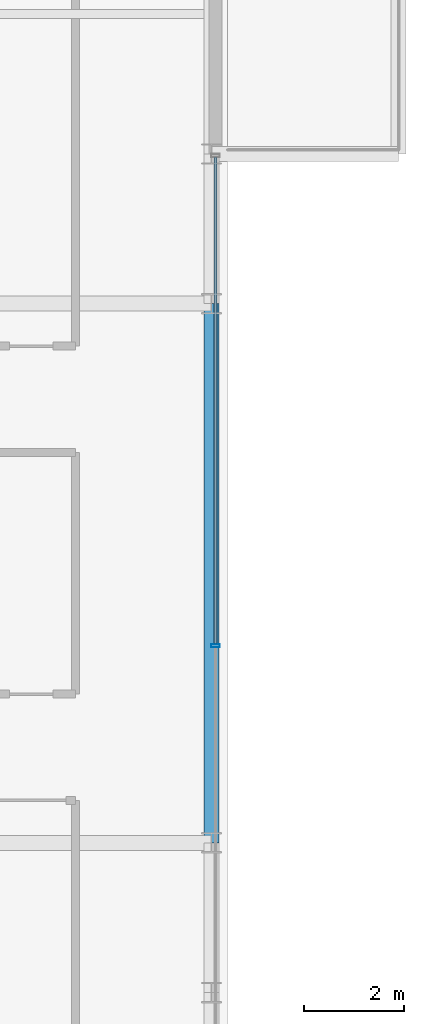
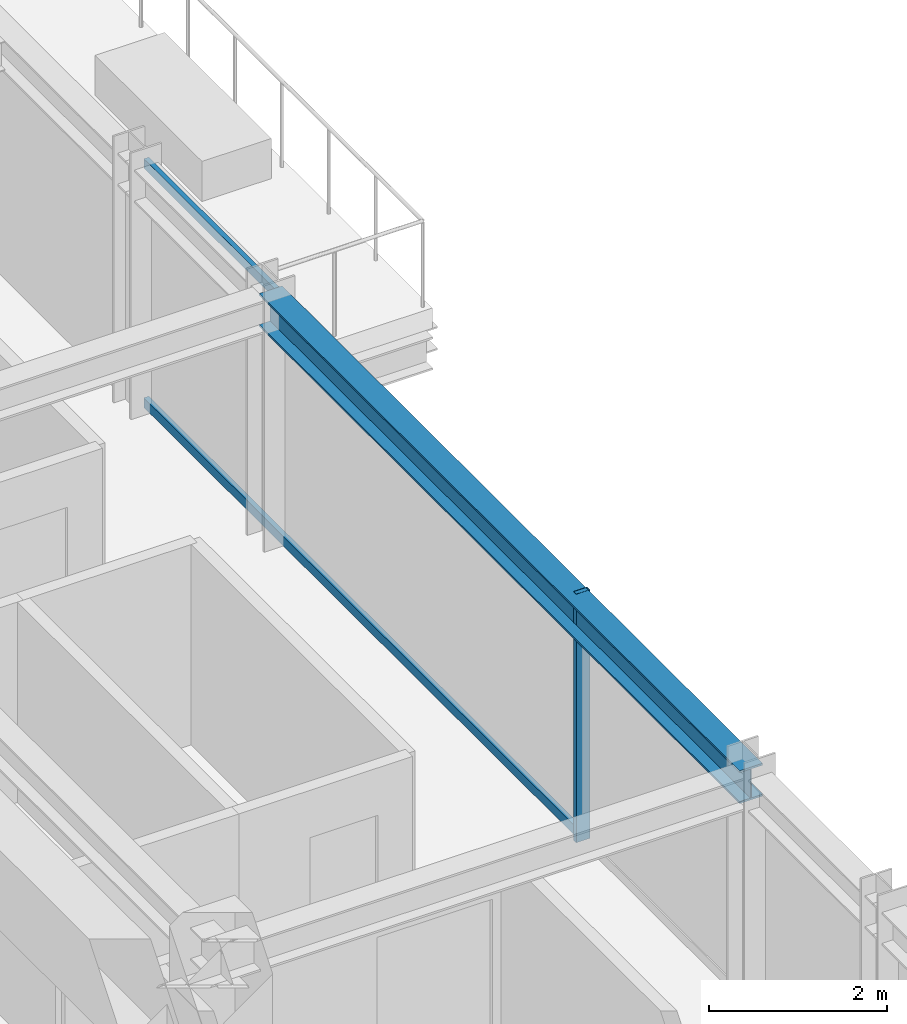
# One storey, part 17 of 34: 3 members, 1 beam, 1 element without a shape of its own.
"""IFC4 building model written with IfcOpenShell, lengths in metres."""

from ifc_helpers import new_model, si_unit, direction, frame, origin, origin_2d, place, context, subcontext, project, spatial, hollow_rectangle, i_section, extrude, source, transform, mapped, material, material_profile, profile_set, type_object, element, aggregate, save


model = new_model("IFC4")

# Units and contexts
model_context = context("Model", 3, precision=1e-05, world=origin(), true_north=direction((0.0, 1.0)))
body_context = subcontext(model_context, "Body", "Model", "MODEL_VIEW")
ifc_project = project(units=[si_unit("LENGTHUNIT", "METRE"), si_unit("AREAUNIT", "SQUARE_METRE"), si_unit("VOLUMEUNIT", "CUBIC_METRE"), si_unit("PLANEANGLEUNIT", "RADIAN"), si_unit("MASSUNIT", "GRAM", prefix="KILO")], contexts=[model_context])

# Site, building, storey
site_placement = place(None, origin())
site = spatial("IfcSite", under=ifc_project, at=site_placement, CompositionType="ELEMENT")
building_placement = place(site_placement, origin())
building = spatial("IfcBuilding", under=site, at=building_placement, Name="Nahalor Promenade Grand Hotel", CompositionType="ELEMENT")
storey_placement = place(building_placement, frame((0.0, 0.0, 238.199951171875)))
storey = spatial("IfcBuildingStorey", under=building, at=storey_placement, Name="L61", CompositionType="ELEMENT", Elevation=238.199951171875)

# Beam
ifc_material_1 = material(Name="Steel S355JR", Category="steel")
ifc_material_profile_1 = material_profile(ifc_material_1, i_section(OverallWidth=0.3, OverallDepth=0.45, WebThickness=0.014, FlangeThickness=0.026, at=origin_2d()), Name="HEB 450")
ifc_profile_set_1 = profile_set([ifc_material_profile_1], Name="Steel S355JR")
beam_type = type_object("IfcBeamType", Name="Beam-Spandrel-HEB450", PredefinedType="SPANDREL", material=ifc_profile_set_1)
shared_shape_1 = source(origin(), body_context, "Body", "SweptSolid", [
    extrude(i_section(OverallWidth=0.3, OverallDepth=0.45, WebThickness=0.014, FlangeThickness=0.026, at=origin_2d()), origin(), (0.0, 0.0, 1.0), 10.7998046875),
])
beam_placement = place(storey_placement, frame((23.8798828125, -5.39990234375, 3.18505859375), z_axis=(0.0, 1.0, 0.0), x_axis=(-1.0, 0.0, 0.0)))
element("IfcBeam", 1, at=beam_placement, inside=storey, type_object=beam_type, Name="BM-L61-SP-E-2", PredefinedType="SPANDREL", context=body_context, shape_type="MappedRepresentation", body=[
    mapped(shared_shape_1, transform((0.0, 0.0, 0.0), scale=1.0)),
])

# Curtain wall, members
ifc_material_2 = material(Name="Anodised Bronze Aluminium EN AW-6063 T6", Category="aluminium")
curtain_wall_type = type_object("IfcCurtainWallType", Name="CW2 Typical Hotel Flush Bronze Unitised Curtain Wall", PredefinedType="USERDEFINED", material=ifc_material_2)
curtain_wall_placement = place(storey_placement, origin())
curtain_wall = element("IfcCurtainWall", 2, at=curtain_wall_placement, inside=storey, type_object=curtain_wall_type, Name="L61 Curtain Wall CW-L61-E-1", ObjectType="UNITISED_CURTAIN_WALL", PredefinedType="USERDEFINED")
ifc_material_profile_2 = material_profile(ifc_material_2, hollow_rectangle(XDim=0.065, YDim=0.18, WallThickness=0.004, at=origin_2d()), Name="CWM 65x180x4")
ifc_profile_set_2 = profile_set([ifc_material_profile_2], Name="Anodised Bronze Aluminium EN AW-6063 T6")
member_type_1 = type_object("IfcMemberType", Name="CWM2 Typical Bronze Mullion 65x180", PredefinedType="MULLION", material=ifc_profile_set_2)
shared_shape_2 = source(origin(), body_context, "Body", "SweptSolid", [
    extrude(hollow_rectangle(XDim=0.065, YDim=0.18, WallThickness=0.004, at=origin_2d()), origin(), (0.0, 0.0, 1.0), 3.41015625),
])
member_1_placement = place(storey_placement, frame((23.9599609375, -1.453369140625, 0.0), z_axis=(0.0, 0.0, 1.0), x_axis=(0.0, 1.0, 0.0)))
member_1 = element("IfcMember", 3, at=member_1_placement, type_object=member_type_1, Name="CW-L61-E-1 Mullion 2", PredefinedType="MULLION", context=body_context, shape_type="MappedRepresentation", body=[
    mapped(shared_shape_2, transform((0.0, 0.0, 0.0), scale=1.0)),
])
ifc_material_profile_3 = material_profile(ifc_material_2, hollow_rectangle(XDim=0.065, YDim=0.13, WallThickness=0.004, at=origin_2d()), Name="CWT 65x130x4")
ifc_profile_set_3 = profile_set([ifc_material_profile_3], Name="Anodised Bronze Aluminium EN AW-6063 T6")
member_type_2 = type_object("IfcMemberType", Name="CWT2 Typical Bronze Transom 65x130", PredefinedType="USERDEFINED", material=ifc_profile_set_3)
shared_shape_3 = source(origin(), body_context, "Body", "SweptSolid", [
    extrude(hollow_rectangle(XDim=0.065, YDim=0.13, WallThickness=0.004, at=origin_2d()), origin(), (0.0, 0.0, 1.0), 9.755859375),
])
member_2_placement = place(storey_placement, frame((23.9599609375, -1.4208984375, 0.06494140625), z_axis=(0.0, 1.0, 0.0), x_axis=(-1.0, 0.0, 0.0)))
member_2 = element("IfcMember", 4, at=member_2_placement, type_object=member_type_2, Name="CW-L61-E-1 Transom 2-0", ObjectType="TRANSOM", PredefinedType="USERDEFINED", context=body_context, shape_type="MappedRepresentation", body=[
    mapped(shared_shape_3, transform((0.0, 0.0, 0.0), scale=1.0)),
])
member_3_placement = place(storey_placement, frame((23.9599609375, -1.4208984375, 3.344970703125), z_axis=(0.0, 1.0, 0.0), x_axis=(-1.0, 0.0, 0.0)))
member_3 = element("IfcMember", 5, at=member_3_placement, type_object=member_type_2, Name="CW-L61-E-1 Transom 2-1", ObjectType="TRANSOM", PredefinedType="USERDEFINED", context=body_context, shape_type="MappedRepresentation", body=[
    mapped(shared_shape_3, transform((0.0, 0.0, 0.0), scale=1.0)),
])
aggregate(curtain_wall, [member_1, member_2, member_3])

save(model, "model.ifc")
